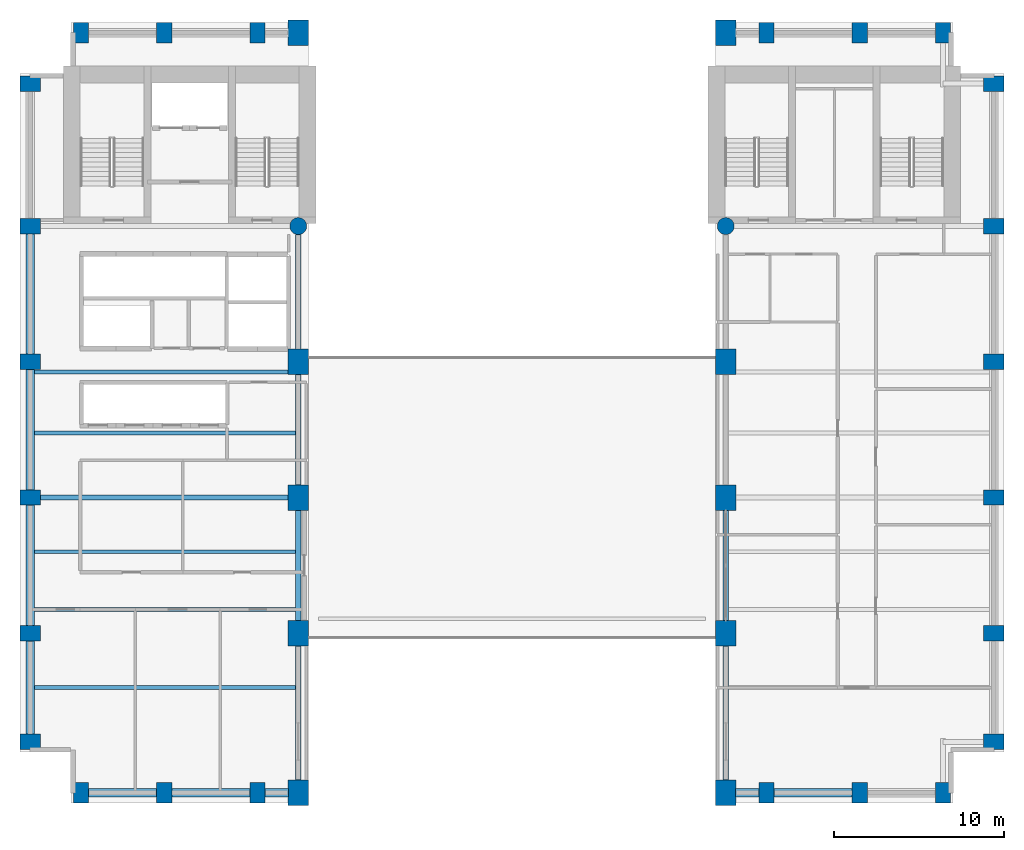
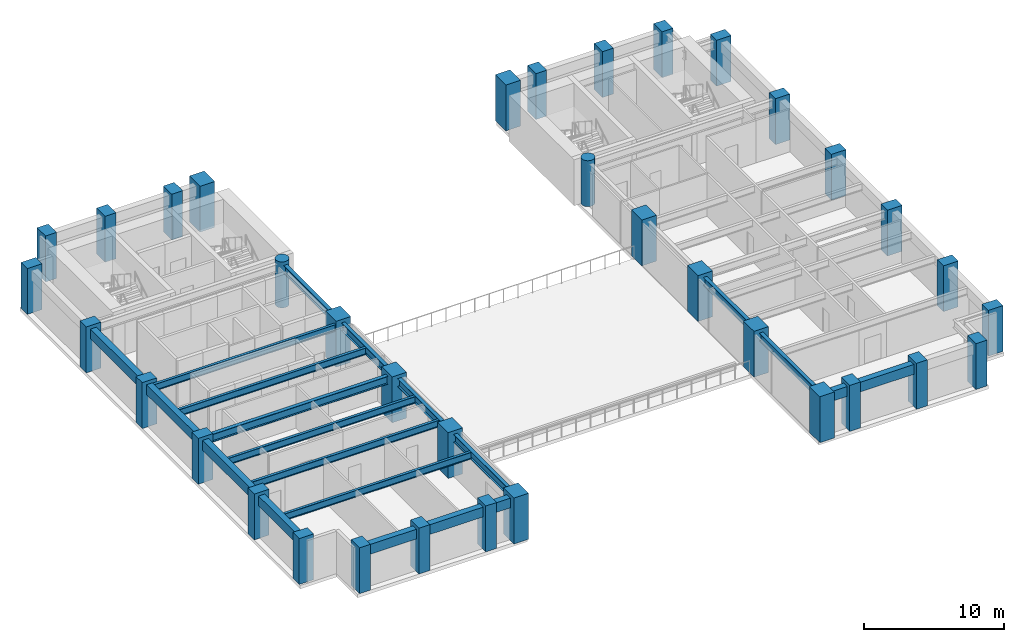
# One storey, part 1 of 10: 36 columns, 18 beams.
"""IFC4 building model written with IfcOpenShell, lengths in metres."""

from ifc_helpers import new_model, si_unit, direction, frame, origin, origin_2d, place, context, subcontext, project, spatial, rectangle, circle, i_section, extrude, material, material_profile, profile_set, type_object, element, save


model = new_model("IFC4")

# Units and contexts
model_context = context("Model", 3, precision=1e-05, world=origin(), true_north=direction((0.0, 1.0)))
body_context = subcontext(model_context, "Body", "Model", "MODEL_VIEW")
ifc_project = project(units=[si_unit("LENGTHUNIT", "METRE"), si_unit("AREAUNIT", "SQUARE_METRE"), si_unit("VOLUMEUNIT", "CUBIC_METRE"), si_unit("PLANEANGLEUNIT", "RADIAN"), si_unit("MASSUNIT", "GRAM", prefix="KILO")], contexts=[model_context])

# Site, building, storey
site_placement = place(None, origin())
site = spatial("IfcSite", under=ifc_project, at=site_placement, CompositionType="ELEMENT")
building_placement = place(site_placement, origin())
building = spatial("IfcBuilding", under=site, at=building_placement, Name="Sulina Concourse Tower", CompositionType="ELEMENT")
storey_placement = place(building_placement, frame((0.0, 0.0, 30.60009765625)))
storey = spatial("IfcBuildingStorey", under=building, at=storey_placement, Name="L07", CompositionType="ELEMENT", Elevation=30.60009765625)

# Columns
ifc_material_1 = material(Name="Concrete C60/75", Category="concrete")
ifc_material_profile_1 = material_profile(ifc_material_1, circle(Radius=0.5, at=origin_2d()), Name="RC D1000")
ifc_profile_set_1 = profile_set([ifc_material_profile_1], Name="Concrete C60/75")
column_type_1 = type_object("IfcColumnType", Name="Lower Interior Circular Column D1000", PredefinedType="COLUMN", material=ifc_profile_set_1)
for number, where, z_axis, x_axis, name in (
    (1, (16.39990234375, 34.0, 0.0), (0.0, 0.0, 1.0), (1.0, 0.0, 0.0), "L07 structural column IC-N-164"),
    (2, (41.60009765625, 34.0, 0.0), (0.0, 0.0, 1.0), (1.0, 0.0, 0.0), "L07 structural column IC-N-416"),
):
    element("IfcColumn", number, at=place(storey_placement, frame(where, z_axis=z_axis, x_axis=x_axis)), inside=storey, type_object=column_type_1, Name=name, PredefinedType="COLUMN", context=body_context, shape_type="SweptSolid", body=[
        extrude(circle(Radius=0.5, at=origin_2d()), origin(), (0.0, 0.0, 1.0), 4.0),
    ])
ifc_material_2 = material(Name="Concrete C80/95", Category="concrete")
ifc_material_profile_2 = material_profile(ifc_material_2, rectangle(XDim=1.199951171875, YDim=1.5, at=origin_2d()), Name="RC 1200x1500")
ifc_profile_set_2 = profile_set([ifc_material_profile_2], Name="Concrete C80/95")
column_type_2 = type_object("IfcColumnType", Name="Lower Portal End-Leg Column 1200x1500", PredefinedType="COLUMN", material=ifc_profile_set_2)
for number, where, z_axis, x_axis, name in (
    (3, (16.39990234375, 0.60009765625, 0.0), (0.0, 0.0, 1.0), (1.0, 0.0, 0.0), "L07 structural column TP-S-164"),
    (4, (16.39990234375, 45.39990234375, 0.0), (0.0, 0.0, 1.0), (1.0, 0.0, 0.0), "L07 structural column TP-N-164"),
    (5, (41.60009765625, 0.60009765625, 0.0), (0.0, 0.0, 1.0), (1.0, 0.0, 0.0), "L07 structural column TP-S-416"),
    (6, (41.60009765625, 45.39990234375, 0.0), (0.0, 0.0, 1.0), (1.0, 0.0, 0.0), "L07 structural column TP-N-416"),
    (7, (16.39990234375, 10.0, 0.0), (0.0, 0.0, 1.0), (1.0, 0.0, 0.0), "L07 structural column LP-FW-10"),
    (8, (41.60009765625, 10.0, 0.0), (0.0, 0.0, 1.0), (1.0, 0.0, 0.0), "L07 structural column LP-FE-10"),
    (9, (16.39990234375, 18.0, 0.0), (0.0, 0.0, 1.0), (1.0, 0.0, 0.0), "L07 structural column LP-FW-18"),
    (10, (41.60009765625, 18.0, 0.0), (0.0, 0.0, 1.0), (1.0, 0.0, 0.0), "L07 structural column LP-FE-18"),
    (11, (16.39990234375, 26.0, 0.0), (0.0, 0.0, 1.0), (1.0, 0.0, 0.0), "L07 structural column LP-FW-26"),
    (12, (41.60009765625, 26.0, 0.0), (0.0, 0.0, 1.0), (1.0, 0.0, 0.0), "L07 structural column LP-FE-26"),
):
    element("IfcColumn", number, at=place(storey_placement, frame(where, z_axis=z_axis, x_axis=x_axis)), inside=storey, type_object=column_type_2, Name=name, PredefinedType="COLUMN", context=body_context, shape_type="SweptSolid", body=[
        extrude(rectangle(XDim=1.199951171875, YDim=1.5, at=origin_2d()), origin(), (0.0, 0.0, 1.0), 4.0),
    ])
ifc_material_3 = material(Name="Precast concrete C60/75", Category="concrete")
ifc_material_profile_3 = material_profile(ifc_material_3, rectangle(XDim=0.89990234375, YDim=1.199951171875, at=origin_2d()), Name="PC 900x1200")
ifc_profile_set_3 = profile_set([ifc_material_profile_3], Name="Precast concrete C60/75")
column_type_3 = type_object("IfcColumnType", Name="Precast Tube Pier Zone 1 900x1200", PredefinedType="COLUMN", material=ifc_profile_set_3)
for number, where, z_axis, x_axis, name in (
    (13, (3.60009765625, 0.60009765625, 0.0), (0.0, 0.0, 1.0), (1.0, 0.0, 0.0), "L07 structural column TP-S-36"),
    (14, (3.60009765625, 45.39990234375, 0.0), (0.0, 0.0, 1.0), (1.0, 0.0, 0.0), "L07 structural column TP-N-36"),
    (15, (8.5, 0.60009765625, 0.0), (0.0, 0.0, 1.0), (1.0, 0.0, 0.0), "L07 structural column TP-S-85"),
    (16, (8.5, 45.39990234375, 0.0), (0.0, 0.0, 1.0), (1.0, 0.0, 0.0), "L07 structural column TP-N-85"),
    (17, (14.0, 0.60009765625, 0.0), (0.0, 0.0, 1.0), (1.0, 0.0, 0.0), "L07 structural column TP-S-140"),
    (18, (14.0, 45.39990234375, 0.0), (0.0, 0.0, 1.0), (1.0, 0.0, 0.0), "L07 structural column TP-N-140"),
    (19, (44.0, 0.60009765625, 0.0), (0.0, 0.0, 1.0), (1.0, 0.0, 0.0), "L07 structural column TP-S-440"),
    (20, (44.0, 45.39990234375, 0.0), (0.0, 0.0, 1.0), (1.0, 0.0, 0.0), "L07 structural column TP-N-440"),
    (21, (49.5, 0.60009765625, 0.0), (0.0, 0.0, 1.0), (1.0, 0.0, 0.0), "L07 structural column TP-S-495"),
    (22, (49.5, 45.39990234375, 0.0), (0.0, 0.0, 1.0), (1.0, 0.0, 0.0), "L07 structural column TP-N-495"),
    (23, (54.39990234375, 0.60009765625, 0.0), (0.0, 0.0, 1.0), (1.0, 0.0, 0.0), "L07 structural column TP-S-544"),
    (24, (54.39990234375, 45.39990234375, 0.0), (0.0, 0.0, 1.0), (1.0, 0.0, 0.0), "L07 structural column TP-N-544"),
    (25, (0.60009765625, 3.60009765625, 0.0), (0.0, 0.0, 1.0), (0.0, 1.0, 0.0), "L07 structural column TP-W-36"),
    (26, (57.39990234375, 3.60009765625, 0.0), (0.0, 0.0, 1.0), (0.0, 1.0, 0.0), "L07 structural column TP-E-36"),
    (27, (0.60009765625, 10.0, 0.0), (0.0, 0.0, 1.0), (0.0, 1.0, 0.0), "L07 structural column TP-W-100"),
    (28, (57.39990234375, 10.0, 0.0), (0.0, 0.0, 1.0), (0.0, 1.0, 0.0), "L07 structural column TP-E-100"),
    (29, (0.60009765625, 18.0, 0.0), (0.0, 0.0, 1.0), (0.0, 1.0, 0.0), "L07 structural column TP-W-180"),
    (30, (57.39990234375, 18.0, 0.0), (0.0, 0.0, 1.0), (0.0, 1.0, 0.0), "L07 structural column TP-E-180"),
    (31, (0.60009765625, 26.0, 0.0), (0.0, 0.0, 1.0), (0.0, 1.0, 0.0), "L07 structural column TP-W-260"),
    (32, (57.39990234375, 26.0, 0.0), (0.0, 0.0, 1.0), (0.0, 1.0, 0.0), "L07 structural column TP-E-260"),
    (33, (0.60009765625, 34.0, 0.0), (0.0, 0.0, 1.0), (0.0, 1.0, 0.0), "L07 structural column TP-W-340"),
    (34, (57.39990234375, 34.0, 0.0), (0.0, 0.0, 1.0), (0.0, 1.0, 0.0), "L07 structural column TP-E-340"),
    (35, (0.60009765625, 42.39990234375, 0.0), (0.0, 0.0, 1.0), (0.0, 1.0, 0.0), "L07 structural column TP-W-424"),
    (36, (57.39990234375, 42.39990234375, 0.0), (0.0, 0.0, 1.0), (0.0, 1.0, 0.0), "L07 structural column TP-E-424"),
):
    element("IfcColumn", number, at=place(storey_placement, frame(where, z_axis=z_axis, x_axis=x_axis)), inside=storey, type_object=column_type_3, Name=name, PredefinedType="COLUMN", context=body_context, shape_type="SweptSolid", body=[
        extrude(rectangle(XDim=0.89990234375, YDim=1.199951171875, at=origin_2d()), origin(), (0.0, 0.0, 1.0), 4.0),
    ])

# Beams
ifc_material_4 = material(Name="Steel S355", Category="steel")
ifc_material_profile_4 = material_profile(ifc_material_4, i_section(OverallWidth=0.219970703125, OverallDepth=0.60009765625, WebThickness=0.011962890625, FlangeThickness=0.01904296875, at=origin_2d()), Name="IPE 600")
ifc_profile_set_4 = profile_set([ifc_material_profile_4], Name="Steel S355")
beam_type_1 = type_object("IfcBeamType", Name="Composite Floor Joist IPE600", PredefinedType="JOIST", material=ifc_profile_set_4)
for number, where, z_axis, x_axis, name in (
    (37, (0.85009765625, 6.800048828125, 3.39990234375), (1.0, 0.0, 0.0), (0.0, 1.0, 0.0), "FJ-J06-1-L07"),
    (38, (0.85009765625, 11.39990234375, 3.39990234375), (1.0, 0.0, 0.0), (0.0, 1.0, 0.0), "FJ-J11-1-L07"),
    (39, (0.85009765625, 14.800048828125, 3.39990234375), (1.0, 0.0, 0.0), (0.0, 1.0, 0.0), "FJ-J15-1-L07"),
    (40, (0.85009765625, 21.800048828125, 3.39990234375), (1.0, 0.0, 0.0), (0.0, 1.0, 0.0), "FJ-J22-1-L07"),
    (41, (0.85009765625, 25.39990234375, 3.39990234375), (1.0, 0.0, 0.0), (0.0, 1.0, 0.0), "FJ-J25-1-L07"),
):
    element("IfcBeam", number, at=place(storey_placement, frame(where, z_axis=z_axis, x_axis=x_axis)), inside=storey, type_object=beam_type_1, Name=name, PredefinedType="JOIST", context=body_context, shape_type="SweptSolid", body=[
        extrude(i_section(OverallWidth=0.219970703125, OverallDepth=0.60009765625, WebThickness=0.011962890625, FlangeThickness=0.01904296875, at=origin_2d()), origin(), (0.0, 0.0, 1.0), 15.39990234375),
    ])
ifc_material_5 = material(Name="Steel S355", Category="steel")
ifc_material_profile_5 = material_profile(ifc_material_5, i_section(OverallWidth=0.300048828125, OverallDepth=0.699951171875, WebThickness=0.01708984375, FlangeThickness=0.031982421875, at=origin_2d()), Name="HE 700 B")
ifc_profile_set_5 = profile_set([ifc_material_profile_5], Name="Steel S355")
beam_type_2 = type_object("IfcBeamType", Name="Floor Primary Girder Zone 1 HE700B", PredefinedType="BEAM", material=ifc_profile_set_5)
beam_1_placement = place(storey_placement, frame((1.030029296875, 18.0, 3.349853515625), z_axis=(1.0, 0.0, 0.0), x_axis=(0.0, 1.0, 0.0)))
element("IfcBeam", 42, at=beam_1_placement, inside=storey, type_object=beam_type_2, Name="FG-EW1-L07", PredefinedType="BEAM", context=body_context, shape_type="SweptSolid", body=[
    extrude(i_section(OverallWidth=0.300048828125, OverallDepth=0.699951171875, WebThickness=0.01708984375, FlangeThickness=0.031982421875, at=origin_2d()), origin(), (0.0, 0.0, 1.0), 14.7900390625),
])
beam_2_placement = place(storey_placement, frame((16.39990234375, 1.179931640625, 3.349853515625), z_axis=(0.0, 1.0, 0.0), x_axis=(-1.0, 0.0, 0.0)))
element("IfcBeam", 43, at=beam_2_placement, inside=storey, type_object=beam_type_2, Name="FG-NSA-16-L07", PredefinedType="BEAM", context=body_context, shape_type="SweptSolid", body=[
    extrude(i_section(OverallWidth=0.300048828125, OverallDepth=0.699951171875, WebThickness=0.01708984375, FlangeThickness=0.031982421875, at=origin_2d()), origin(), (0.0, 0.0, 1.0), 16.239990234375),
])
beam_3_placement = place(storey_placement, frame((16.39990234375, 18.580078125, 3.349853515625), z_axis=(0.0, 1.0, 0.0), x_axis=(-1.0, 0.0, 0.0)))
element("IfcBeam", 44, at=beam_3_placement, inside=storey, type_object=beam_type_2, Name="FG-NSB-16-L07", PredefinedType="BEAM", context=body_context, shape_type="SweptSolid", body=[
    extrude(i_section(OverallWidth=0.300048828125, OverallDepth=0.699951171875, WebThickness=0.01708984375, FlangeThickness=0.031982421875, at=origin_2d()), origin(), (0.0, 0.0, 1.0), 14.93994140625),
])
beam_4_placement = place(storey_placement, frame((41.60009765625, 1.179931640625, 3.349853515625), z_axis=(0.0, 1.0, 0.0), x_axis=(-1.0, 0.0, 0.0)))
element("IfcBeam", 45, at=beam_4_placement, inside=storey, type_object=beam_type_2, Name="FG-NSA-41-L07", PredefinedType="BEAM", context=body_context, shape_type="SweptSolid", body=[
    extrude(i_section(OverallWidth=0.300048828125, OverallDepth=0.699951171875, WebThickness=0.01708984375, FlangeThickness=0.031982421875, at=origin_2d()), origin(), (0.0, 0.0, 1.0), 16.239990234375),
])
ifc_material_6 = material(Name="Precast concrete C50/60", Category="concrete")
ifc_material_profile_6 = material_profile(ifc_material_6, rectangle(XDim=0.5, YDim=0.85009765625, at=origin_2d()), Name="RC 500x850")
ifc_profile_set_6 = profile_set([ifc_material_profile_6], Name="Precast concrete C50/60")
beam_type_3 = type_object("IfcBeamType", Name="Lower Precast Spandrel Edge Beam 500x850", PredefinedType="BEAM", material=ifc_profile_set_6)
beam_5_placement = place(storey_placement, frame((4.030029296875, 0.60009765625, 3.27490234375), z_axis=(1.0, 0.0, 0.0), x_axis=(0.0, 1.0, 0.0)))
element("IfcBeam", 46, at=beam_5_placement, inside=storey, type_object=beam_type_3, Name="SP-S1-L07", PredefinedType="BEAM", context=body_context, shape_type="SweptSolid", body=[
    extrude(rectangle(XDim=0.5, YDim=0.85009765625, at=origin_2d()), origin(), (0.0, 0.0, 1.0), 4.0400390625),
])
beam_6_placement = place(storey_placement, frame((8.929931640625, 0.60009765625, 3.27490234375), z_axis=(1.0, 0.0, 0.0), x_axis=(0.0, 1.0, 0.0)))
element("IfcBeam", 47, at=beam_6_placement, inside=storey, type_object=beam_type_3, Name="SP-S2-L07", PredefinedType="BEAM", context=body_context, shape_type="SweptSolid", body=[
    extrude(rectangle(XDim=0.5, YDim=0.85009765625, at=origin_2d()), origin(), (0.0, 0.0, 1.0), 4.64013671875),
])
for number, where, z_axis, x_axis, name in (
    (48, (14.429931640625, 0.60009765625, 3.27490234375), (1.0, 0.0, 0.0), (0.0, 1.0, 0.0), "SP-S3-L07"),
    (49, (42.179931640625, 0.60009765625, 3.27490234375), (1.0, 0.0, 0.0), (0.0, 1.0, 0.0), "SP-S5-L07"),
):
    element("IfcBeam", number, at=place(storey_placement, frame(where, z_axis=z_axis, x_axis=x_axis)), inside=storey, type_object=beam_type_3, Name=name, PredefinedType="BEAM", context=body_context, shape_type="SweptSolid", body=[
        extrude(rectangle(XDim=0.5, YDim=0.85009765625, at=origin_2d()), origin(), (0.0, 0.0, 1.0), 1.39013671875),
    ])
beam_7_placement = place(storey_placement, frame((44.429931640625, 0.60009765625, 3.27490234375), z_axis=(1.0, 0.0, 0.0), x_axis=(0.0, 1.0, 0.0)))
element("IfcBeam", 50, at=beam_7_placement, inside=storey, type_object=beam_type_3, Name="SP-S6-L07", PredefinedType="BEAM", context=body_context, shape_type="SweptSolid", body=[
    extrude(rectangle(XDim=0.5, YDim=0.85009765625, at=origin_2d()), origin(), (0.0, 0.0, 1.0), 4.64013671875),
])
beam_8_placement = place(storey_placement, frame((0.60009765625, 4.030029296875, 3.27490234375), z_axis=(0.0, 1.0, 0.0), x_axis=(-1.0, 0.0, 0.0)))
element("IfcBeam", 51, at=beam_8_placement, inside=storey, type_object=beam_type_3, Name="SP-W1-L07", PredefinedType="BEAM", context=body_context, shape_type="SweptSolid", body=[
    extrude(rectangle(XDim=0.5, YDim=0.85009765625, at=origin_2d()), origin(), (0.0, 0.0, 1.0), 5.5400390625),
])
for number, where, z_axis, x_axis, name in (
    (52, (0.60009765625, 10.429931640625, 3.27490234375), (0.0, 1.0, 0.0), (-1.0, 0.0, 0.0), "SP-W2-L07"),
    (53, (0.60009765625, 18.429931640625, 3.27490234375), (0.0, 1.0, 0.0), (-1.0, 0.0, 0.0), "SP-W3-L07"),
    (54, (0.60009765625, 26.429931640625, 3.27490234375), (0.0, 1.0, 0.0), (-1.0, 0.0, 0.0), "SP-W4-L07"),
):
    element("IfcBeam", number, at=place(storey_placement, frame(where, z_axis=z_axis, x_axis=x_axis)), inside=storey, type_object=beam_type_3, Name=name, PredefinedType="BEAM", context=body_context, shape_type="SweptSolid", body=[
        extrude(rectangle(XDim=0.5, YDim=0.85009765625, at=origin_2d()), origin(), (0.0, 0.0, 1.0), 7.14013671875),
    ])

save(model, "model.ifc")
